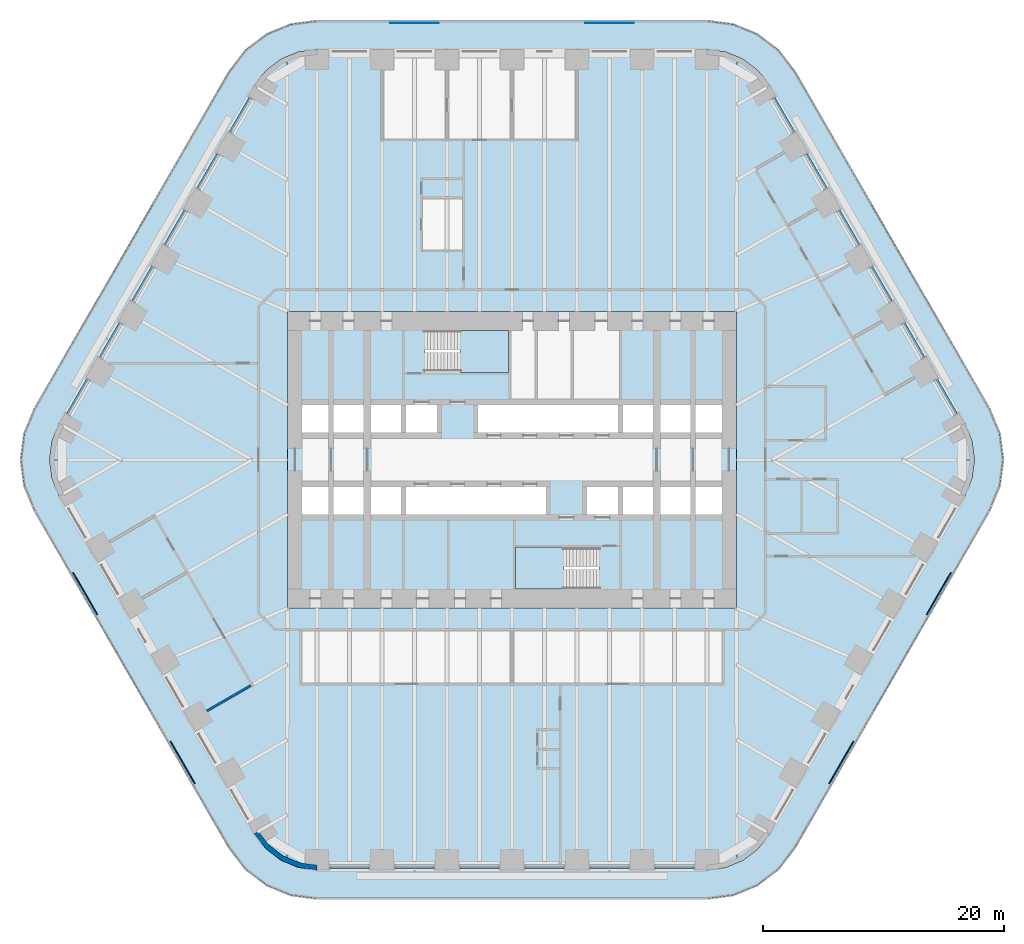
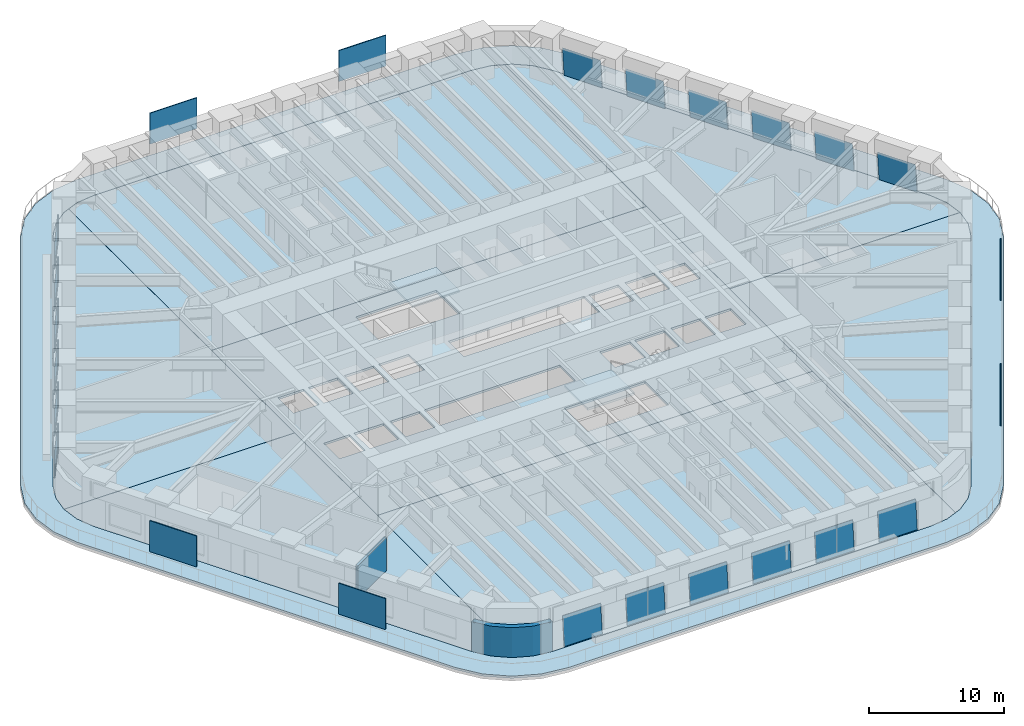
# One storey, part 15 of 24: 24 plates, 10 slabs, 2 walls, 20 elements without a shape of their own.
"""IFC4 building model written with IfcOpenShell, lengths in metres."""

from ifc_helpers import new_model, si_unit, direction, frame, frame_2d, origin, origin_2d, place, context, subcontext, project, spatial, polyline, rectangle, outline, extrude, material, layer, layer_set, type_object, element, aggregate, save


model = new_model("IFC4")

# Units and contexts
model_context = context("Model", 3, precision=1e-05, world=origin(), true_north=direction((0.0, 1.0)))
body_context = subcontext(model_context, "Body", "Model", "MODEL_VIEW")
ifc_project = project(units=[si_unit("LENGTHUNIT", "METRE"), si_unit("AREAUNIT", "SQUARE_METRE"), si_unit("VOLUMEUNIT", "CUBIC_METRE"), si_unit("PLANEANGLEUNIT", "RADIAN"), si_unit("MASSUNIT", "GRAM", prefix="KILO")], contexts=[model_context])

# Site, building, storey
site_placement = place(None, origin())
site = spatial("IfcSite", under=ifc_project, at=site_placement, CompositionType="ELEMENT")
building_placement = place(site_placement, origin())
building = spatial("IfcBuilding", under=site, at=building_placement, Name="Tarfa Lantern Tower", CompositionType="ELEMENT")
storey_placement = place(building_placement, frame((0.0, 0.0, 73.89990234375)))
storey = spatial("IfcBuildingStorey", under=building, at=storey_placement, Name="L16", CompositionType="ELEMENT", Elevation=73.89990234375)

# Slab
ifc_material_1 = material(Name="Concrete C40/50", Category="concrete")
ifc_layer_1 = layer(ifc_material_1, 0.199951171875)
ifc_layer_set_1 = layer_set([ifc_layer_1], Name="BS2 BALCONY SLAB 200")
slab_type_1 = type_object("IfcSlabType", Name="BS2 BALCONY SLAB 200", PredefinedType="FLOOR", material=ifc_layer_set_1)
slab_1_placement = place(storey_placement, frame((0.0, 0.0, -0.199951171875)))
element("IfcSlab", 1, at=slab_1_placement, inside=storey, type_object=slab_type_1, Name="Balcony L16", PredefinedType="FLOOR", context=body_context, shape_type="SweptSolid", body=[
    extrude(outline(polyline([(39.606201171875, 4.199951171875), (23.4404296875, 32.199951171875), (22.10546875, 33.939697265625), (20.36572265625, 35.274658203125), (18.33984375, 36.11376953125), (16.165771484375, 36.39990234375), (-16.165771484375, 36.39990234375), (-18.33984375, 36.11376953125), (-20.36572265625, 35.274658203125), (-22.10546875, 33.939697265625), (-23.4404296875, 32.199951171875), (-39.606201171875, 4.199951171875), (-40.4453125, 2.174072265625), (-40.731689453125, 0.0), (-40.4453125, -2.174072265625), (-39.606201171875, -4.199951171875), (-23.4404296875, -32.199951171875), (-22.10546875, -33.939697265625), (-20.36572265625, -35.274658203125), (-18.33984375, -36.11376953125), (-16.165771484375, -36.39990234375), (16.165771484375, -36.39990234375), (18.33984375, -36.11376953125), (20.36572265625, -35.274658203125), (22.10546875, -33.939697265625), (23.4404296875, -32.199951171875), (39.606201171875, -4.199951171875), (40.4453125, -2.174072265625), (40.731689453125, 0.0), (40.4453125, 2.174072265625), (39.606201171875, 4.199951171875)]), holes=[polyline([(37.52783203125, 3.0), (21.362060546875, 31.0), (20.408447265625, 32.24267578125), (19.165771484375, 33.196044921875), (17.71875, 33.795654296875), (16.165771484375, 34.0), (-16.165771484375, 34.0), (-17.71875, 33.795654296875), (-19.165771484375, 33.196044921875), (-20.408447265625, 32.24267578125), (-21.362060546875, 31.0), (-37.52783203125, 3.0), (-38.127197265625, 1.552978515625), (-38.33154296875, 0.0), (-38.127197265625, -1.552978515625), (-37.52783203125, -3.0), (-21.362060546875, -31.0), (-20.408447265625, -32.24267578125), (-19.165771484375, -33.196044921875), (-17.71875, -33.795654296875), (-16.165771484375, -34.0), (16.165771484375, -34.0), (17.71875, -33.795654296875), (19.165771484375, -33.196044921875), (20.408447265625, -32.24267578125), (21.362060546875, -31.0), (37.52783203125, -3.0), (38.127197265625, -1.552978515625), (38.33154296875, 0.0), (38.127197265625, 1.552978515625), (37.52783203125, 3.0)])]), origin(), (0.0, 0.0, 1.0), 0.199951171875),
])

# Curtain wall, plate
ifc_material_2 = material(Name="Aluminium framed curtain wall", Category="aluminium")
curtain_wall_type = type_object("IfcCurtainWallType", Name="CW1 CANTED GLAZING LOW ZONE 2700", PredefinedType="USERDEFINED", material=ifc_material_2)
curtain_wall_1_placement = place(storey_placement, origin())
curtain_wall_1 = element("IfcCurtainWall", 2, at=curtain_wall_1_placement, inside=storey, type_object=curtain_wall_type, Name="CW1 NE L16", ObjectType="CURTAIN WALL", PredefinedType="USERDEFINED")
ifc_material_3 = material(Name="Laminated double glazing", Category="glass")
ifc_layer_2 = layer(ifc_material_3, 0.028076171875)
ifc_layer_set_2 = layer_set([ifc_layer_2], Name="CWP1 DOUBLE GLAZED PANEL")
plate_type_1 = type_object("IfcPlateType", Name="CWP1 DOUBLE GLAZED PANEL", PredefinedType="CURTAIN_PANEL", material=ifc_layer_set_2)
plate_1_placement = place(storey_placement, frame((36.90869140625, 3.872314453125, 0.0), z_axis=(0.862338266797, 0.497864384763, 0.09221587717), x_axis=(-0.499995082658, 0.86602824279, 2.978908e-06)))
plate_1 = element("IfcPlate", 3, at=plate_1_placement, type_object=plate_type_1, Name="CW1 panel 1.1", PredefinedType="CURTAIN_PANEL", context=body_context, shape_type="SweptSolid", body=[
    extrude(outline(polyline([(0.0, 0.0), (3.258639560562134, 0.0), (3.2585208536427297, 2.646275738901332), (3.3621925729925773e-06, 2.646295235988971), (0.0, 0.0)])), origin(), (0.0, 0.0, -1.0), 0.028076171875),
])
aggregate(curtain_wall_1, [plate_1])

curtain_wall_2_placement = place(storey_placement, origin())
curtain_wall_2 = element("IfcCurtainWall", 4, at=curtain_wall_2_placement, inside=storey, type_object=curtain_wall_type, Name="CW1 NE L16", ObjectType="CURTAIN WALL", PredefinedType="USERDEFINED")
plate_2_placement = place(storey_placement, frame((34.21435546875, 8.5390625, 0.0), z_axis=(0.862325290636, 0.497894194109, 0.092176269198), x_axis=(-0.500022939057, 0.866012159509, 0.0)))
plate_2 = element("IfcPlate", 5, at=plate_2_placement, type_object=plate_type_1, Name="CW1 panel 1.1", PredefinedType="CURTAIN_PANEL", context=body_context, shape_type="SweptSolid", body=[
    extrude(outline(polyline([(0.0, 0.0), (3.2586395622623687, 0.0), (3.2585208519425555, 2.6462757409948594), (-0.0001187103198132533, 2.6462757409948594), (0.0, 0.0)])), origin(), (0.0, 0.0, -1.0), 0.028076171875),
])
aggregate(curtain_wall_2, [plate_2])

curtain_wall_3_placement = place(storey_placement, origin())
curtain_wall_3 = element("IfcCurtainWall", 6, at=curtain_wall_3_placement, inside=storey, type_object=curtain_wall_type, Name="CW1 NE L16", ObjectType="CURTAIN WALL", PredefinedType="USERDEFINED")
plate_3_placement = place(storey_placement, frame((31.52001953125, 13.20556640625, 0.0), z_axis=(0.862341934097, 0.49786650205, 0.092170140692), x_axis=(-0.499994605049, 0.866028518533, -2.977555e-06)))
plate_3 = element("IfcPlate", 7, at=plate_3_placement, type_object=plate_type_1, Name="CW1 panel 1.1", PredefinedType="CURTAIN_PANEL", context=body_context, shape_type="SweptSolid", body=[
    extrude(outline(polyline([(0.0, 0.0), (3.258517491508472, 2.7755575615628914e-17), (3.2587164564684317, 2.646283977845527), (7.689596458644864e-05, 2.6462644896978658), (0.0, 0.0)])), origin(), (0.0, 0.0, -1.0), 0.028076171875),
])
aggregate(curtain_wall_3, [plate_3])

curtain_wall_4_placement = place(storey_placement, origin())
curtain_wall_4 = element("IfcCurtainWall", 8, at=curtain_wall_4_placement, inside=storey, type_object=curtain_wall_type, Name="CW1 NE L16", ObjectType="CURTAIN WALL", PredefinedType="USERDEFINED")
plate_4_placement = place(storey_placement, frame((28.82568359375, 17.872314453125, 0.0), z_axis=(0.862338266797, 0.497864384763, 0.09221587717), x_axis=(-0.499994604812, 0.86602851867, -2.97902e-06)))
plate_4 = element("IfcPlate", 9, at=plate_4_placement, type_object=plate_type_1, Name="CW1 panel 1.1", PredefinedType="CURTAIN_PANEL", context=body_context, shape_type="SweptSolid", body=[
    extrude(outline(polyline([(0.0, 0.0), (3.2585174915084862, -2.7755575615628914e-17), (3.2585050197979823, 2.646295235961718), (-0.000134540705819584, 2.646275738143688), (0.0, 0.0)])), origin(), (0.0, 0.0, -1.0), 0.028076171875),
])
aggregate(curtain_wall_4, [plate_4])

curtain_wall_5_placement = place(storey_placement, origin())
curtain_wall_5 = element("IfcCurtainWall", 10, at=curtain_wall_5_placement, inside=storey, type_object=curtain_wall_type, Name="CW1 NE L16", ObjectType="CURTAIN WALL", PredefinedType="USERDEFINED")
plate_5_placement = place(storey_placement, frame((26.13134765625, 22.5390625, 0.0), z_axis=(0.862338266797, 0.497864384763, 0.09221587717), x_axis=(-0.499994604812, 0.86602851867, -2.97902e-06)))
plate_5 = element("IfcPlate", 11, at=plate_5_placement, type_object=plate_type_1, Name="CW1 panel 1.1", PredefinedType="CURTAIN_PANEL", context=body_context, shape_type="SweptSolid", body=[
    extrude(outline(polyline([(0.0, 0.0), (3.2585174915084862, -2.7755575615628914e-17), (3.2585050197979823, 2.646295235961718), (-0.000134540705819584, 2.646275738143688), (0.0, 0.0)])), origin(), (0.0, 0.0, -1.0), 0.028076171875),
])
aggregate(curtain_wall_5, [plate_5])

curtain_wall_6_placement = place(storey_placement, origin())
curtain_wall_6 = element("IfcCurtainWall", 12, at=curtain_wall_6_placement, inside=storey, type_object=curtain_wall_type, Name="CW1 NE L16", ObjectType="CURTAIN WALL", PredefinedType="USERDEFINED")
plate_6_placement = place(storey_placement, frame((23.437255859375, 27.20556640625, 0.0), z_axis=(0.862341934097, 0.49786650205, 0.092170140692), x_axis=(-0.499995082421, 0.866028242926, 2.977443e-06)))
plate_6 = element("IfcPlate", 13, at=plate_6_placement, type_object=plate_type_1, Name="CW1 panel 1.1", PredefinedType="CURTAIN_PANEL", context=body_context, shape_type="SweptSolid", body=[
    extrude(outline(polyline([(0.0, 0.0), (3.2586395605621195, -2.7755575615628914e-17), (3.2587322823927347, 2.64626448919067), (0.0002147909425344405, 2.6462839766083026), (0.0, 0.0)])), origin(), (0.0, 0.0, -1.0), 0.028076171875),
])
aggregate(curtain_wall_6, [plate_6])

curtain_wall_7_placement = place(storey_placement, origin())
curtain_wall_7 = element("IfcCurtainWall", 14, at=curtain_wall_7_placement, inside=storey, type_object=curtain_wall_type, Name="CW1 NW L16", ObjectType="CURTAIN WALL", PredefinedType="USERDEFINED")
plate_7_placement = place(storey_placement, frame((-21.807861328125, 30.027587890625, 0.0), z_axis=(-0.862341934097, 0.49786650205, 0.092170140692), x_axis=(-0.499995082421, -0.866028242926, -2.977443e-06)))
plate_7 = element("IfcPlate", 15, at=plate_7_placement, type_object=plate_type_1, Name="CW1 panel 1.1", PredefinedType="CURTAIN_PANEL", context=body_context, shape_type="SweptSolid", body=[
    extrude(outline(polyline([(0.0, 0.0), (3.2586395605621195, 2.7755575615628914e-17), (3.2584247696195847, 2.6462839766083026), (-9.272183061532521e-05, 2.64626448919067), (0.0, 0.0)])), origin(), (0.0, 0.0, -1.0), 0.028076171875),
])
aggregate(curtain_wall_7, [plate_7])

curtain_wall_8_placement = place(storey_placement, origin())
curtain_wall_8 = element("IfcCurtainWall", 16, at=curtain_wall_8_placement, inside=storey, type_object=curtain_wall_type, Name="CW1 NW L16", ObjectType="CURTAIN WALL", PredefinedType="USERDEFINED")
plate_8_placement = place(storey_placement, frame((-24.502197265625, 25.361083984375, 0.0), z_axis=(-0.862338266797, 0.497864384763, 0.09221587717), x_axis=(-0.499994604812, -0.86602851867, 2.97902e-06)))
plate_8 = element("IfcPlate", 17, at=plate_8_placement, type_object=plate_type_1, Name="CW1 panel 1.1", PredefinedType="CURTAIN_PANEL", context=body_context, shape_type="SweptSolid", body=[
    extrude(outline(polyline([(0.0, 0.0), (3.2585174915084862, 2.7755575615628914e-17), (3.2586520322143055, 2.646275738143688), (1.2471710504126e-05, 2.646295235961718), (0.0, 0.0)])), origin(), (0.0, 0.0, -1.0), 0.028076171875),
])
aggregate(curtain_wall_8, [plate_8])

curtain_wall_9_placement = place(storey_placement, origin())
curtain_wall_9 = element("IfcCurtainWall", 18, at=curtain_wall_9_placement, inside=storey, type_object=curtain_wall_type, Name="CW1 NW L16", ObjectType="CURTAIN WALL", PredefinedType="USERDEFINED")
plate_9_placement = place(storey_placement, frame((-27.196533203125, 20.6943359375, 0.0), z_axis=(-0.862338266797, 0.497864384763, 0.09221587717), x_axis=(-0.499994604812, -0.86602851867, 2.97902e-06)))
plate_9 = element("IfcPlate", 19, at=plate_9_placement, type_object=plate_type_1, Name="CW1 panel 1.1", PredefinedType="CURTAIN_PANEL", context=body_context, shape_type="SweptSolid", body=[
    extrude(outline(polyline([(0.0, 0.0), (3.2585174915084862, 2.7755575615628914e-17), (3.2586520322143055, 2.646275738143688), (1.2471710504126e-05, 2.646295235961718), (0.0, 0.0)])), origin(), (0.0, 0.0, -1.0), 0.028076171875),
])
aggregate(curtain_wall_9, [plate_9])

curtain_wall_10_placement = place(storey_placement, origin())
curtain_wall_10 = element("IfcCurtainWall", 20, at=curtain_wall_10_placement, inside=storey, type_object=curtain_wall_type, Name="CW1 NW L16", ObjectType="CURTAIN WALL", PredefinedType="USERDEFINED")
plate_10_placement = place(storey_placement, frame((-29.890869140625, 16.027587890625, 0.0), z_axis=(-0.862341934097, 0.49786650205, 0.092170140692), x_axis=(-0.499994605049, -0.866028518533, 2.977555e-06)))
plate_10 = element("IfcPlate", 21, at=plate_10_placement, type_object=plate_type_1, Name="CW1 panel 1.1", PredefinedType="CURTAIN_PANEL", context=body_context, shape_type="SweptSolid", body=[
    extrude(outline(polyline([(0.0, 0.0), (3.258517491508472, -2.7755575615628914e-17), (3.258440595543886, 2.6462644896978658), (-0.00019896495995976314, 2.646283977845527), (0.0, 0.0)])), origin(), (0.0, 0.0, -1.0), 0.028076171875),
])
aggregate(curtain_wall_10, [plate_10])

curtain_wall_11_placement = place(storey_placement, origin())
curtain_wall_11 = element("IfcCurtainWall", 22, at=curtain_wall_11_placement, inside=storey, type_object=curtain_wall_type, Name="CW1 NW L16", ObjectType="CURTAIN WALL", PredefinedType="USERDEFINED")
plate_11_placement = place(storey_placement, frame((-32.5849609375, 11.361083984375, 0.0), z_axis=(-0.862325290636, 0.497894194109, 0.092176269198), x_axis=(-0.500022939057, -0.866012159509, 0.0)))
plate_11 = element("IfcPlate", 23, at=plate_11_placement, type_object=plate_type_1, Name="CW1 panel 1.1", PredefinedType="CURTAIN_PANEL", context=body_context, shape_type="SweptSolid", body=[
    extrude(outline(polyline([(0.0, 0.0), (3.2586395622623687, 0.0), (3.258758272582182, 2.6462757409948594), (0.0001187103198132533, 2.6462757409948594), (0.0, 0.0)])), origin(), (0.0, 0.0, -1.0), 0.028076171875),
])
aggregate(curtain_wall_11, [plate_11])

curtain_wall_12_placement = place(storey_placement, origin())
curtain_wall_12 = element("IfcCurtainWall", 24, at=curtain_wall_12_placement, inside=storey, type_object=curtain_wall_type, Name="CW1 NW L16", ObjectType="CURTAIN WALL", PredefinedType="USERDEFINED")
plate_12_placement = place(storey_placement, frame((-35.279296875, 6.6943359375, 0.0), z_axis=(-0.862338266797, 0.497864384763, 0.09221587717), x_axis=(-0.499995082658, -0.86602824279, -2.978908e-06)))
plate_12 = element("IfcPlate", 25, at=plate_12_placement, type_object=plate_type_1, Name="CW1 panel 1.1", PredefinedType="CURTAIN_PANEL", context=body_context, shape_type="SweptSolid", body=[
    extrude(outline(polyline([(0.0, 0.0), (3.258639560562134, 0.0), (3.258636198369561, 2.646295235988971), (0.00011870691940396534, 2.646275738901332), (0.0, 0.0)])), origin(), (0.0, 0.0, -1.0), 0.028076171875),
])
aggregate(curtain_wall_12, [plate_12])

curtain_wall_13_placement = place(storey_placement, origin())
curtain_wall_13 = element("IfcCurtainWall", 26, at=curtain_wall_13_placement, inside=storey, type_object=curtain_wall_type, Name="CW1 S L16", ObjectType="CURTAIN WALL", PredefinedType="USERDEFINED")
plate_13_placement = place(storey_placement, frame((-15.100830078125, -33.89990234375, 0.0), z_axis=(0.0, -0.995743653657, 0.092166025202), x_axis=(1.0, 0.0, 0.0)))
plate_13 = element("IfcPlate", 27, at=plate_13_placement, type_object=plate_type_1, Name="CW1 panel 1.1", PredefinedType="CURTAIN_PANEL", context=body_context, shape_type="SweptSolid", body=[
    extrude(outline(polyline([(0.0, 0.0), (3.258544921875, 0.0), (3.258544921875, 2.6462732209712594), (0.0, 2.6462732209712594), (0.0, 0.0)])), origin(), (0.0, 0.0, -1.0), 0.028076171875),
])
aggregate(curtain_wall_13, [plate_13])

curtain_wall_14_placement = place(storey_placement, origin())
curtain_wall_14 = element("IfcCurtainWall", 28, at=curtain_wall_14_placement, inside=storey, type_object=curtain_wall_type, Name="CW1 S L16", ObjectType="CURTAIN WALL", PredefinedType="USERDEFINED")
plate_14_placement = place(storey_placement, frame((-9.712158203125, -33.89990234375, 0.0), z_axis=(0.0, -0.995743653657, 0.092166025202), x_axis=(1.0, 0.0, 0.0)))
plate_14 = element("IfcPlate", 29, at=plate_14_placement, type_object=plate_type_1, Name="CW1 panel 1.1", PredefinedType="CURTAIN_PANEL", context=body_context, shape_type="SweptSolid", body=[
    extrude(outline(polyline([(0.0, 0.0), (3.258544921875, 0.0), (3.258544921875, 2.6462732209712594), (0.0, 2.6462732209712594), (0.0, 0.0)])), origin(), (0.0, 0.0, -1.0), 0.028076171875),
])
aggregate(curtain_wall_14, [plate_14])

curtain_wall_15_placement = place(storey_placement, origin())
curtain_wall_15 = element("IfcCurtainWall", 30, at=curtain_wall_15_placement, inside=storey, type_object=curtain_wall_type, Name="CW1 S L16", ObjectType="CURTAIN WALL", PredefinedType="USERDEFINED")
plate_15_placement = place(storey_placement, frame((-4.323486328125, -33.89990234375, 0.0), z_axis=(0.0, -0.995743653657, 0.092166025202), x_axis=(1.0, 0.0, 0.0)))
plate_15 = element("IfcPlate", 31, at=plate_15_placement, type_object=plate_type_1, Name="CW1 panel 1.1", PredefinedType="CURTAIN_PANEL", context=body_context, shape_type="SweptSolid", body=[
    extrude(outline(polyline([(0.0, 0.0), (3.258544921875, 0.0), (3.258544921875, 2.6462732209712594), (0.0, 2.6462732209712594), (0.0, 0.0)])), origin(), (0.0, 0.0, -1.0), 0.028076171875),
])
aggregate(curtain_wall_15, [plate_15])

curtain_wall_16_placement = place(storey_placement, origin())
curtain_wall_16 = element("IfcCurtainWall", 32, at=curtain_wall_16_placement, inside=storey, type_object=curtain_wall_type, Name="CW1 S L16", ObjectType="CURTAIN WALL", PredefinedType="USERDEFINED")
plate_16_placement = place(storey_placement, frame((1.06494140625, -33.89990234375, 0.0), z_axis=(0.0, -0.995743653657, 0.092166025202), x_axis=(1.0, 0.0, 0.0)))
plate_16 = element("IfcPlate", 33, at=plate_16_placement, type_object=plate_type_1, Name="CW1 panel 1.1", PredefinedType="CURTAIN_PANEL", context=body_context, shape_type="SweptSolid", body=[
    extrude(outline(polyline([(0.0, 0.0), (3.258544921875, 0.0), (3.258544921875, 2.6462732209712594), (0.0, 2.6462732209712594), (0.0, 0.0)])), origin(), (0.0, 0.0, -1.0), 0.028076171875),
])
aggregate(curtain_wall_16, [plate_16])

curtain_wall_17_placement = place(storey_placement, origin())
curtain_wall_17 = element("IfcCurtainWall", 34, at=curtain_wall_17_placement, inside=storey, type_object=curtain_wall_type, Name="CW1 S L16", ObjectType="CURTAIN WALL", PredefinedType="USERDEFINED")
plate_17_placement = place(storey_placement, frame((6.45361328125, -33.89990234375, 0.0), z_axis=(0.0, -0.995743653657, 0.092166025202), x_axis=(1.0, 0.0, 0.0)))
plate_17 = element("IfcPlate", 35, at=plate_17_placement, type_object=plate_type_1, Name="CW1 panel 1.1", PredefinedType="CURTAIN_PANEL", context=body_context, shape_type="SweptSolid", body=[
    extrude(outline(polyline([(0.0, 0.0), (3.258544921875, 0.0), (3.258544921875, 2.6462732209712594), (0.0, 2.6462732209712594), (0.0, 0.0)])), origin(), (0.0, 0.0, -1.0), 0.028076171875),
])
aggregate(curtain_wall_17, [plate_17])

curtain_wall_18_placement = place(storey_placement, origin())
curtain_wall_18 = element("IfcCurtainWall", 36, at=curtain_wall_18_placement, inside=storey, type_object=curtain_wall_type, Name="CW1 S L16", ObjectType="CURTAIN WALL", PredefinedType="USERDEFINED")
plate_18_placement = place(storey_placement, frame((11.84228515625, -33.89990234375, 0.0), z_axis=(0.0, -0.995743653657, 0.092166025202), x_axis=(1.0, 0.0, 0.0)))
plate_18 = element("IfcPlate", 37, at=plate_18_placement, type_object=plate_type_1, Name="CW1 panel 1.1", PredefinedType="CURTAIN_PANEL", context=body_context, shape_type="SweptSolid", body=[
    extrude(outline(polyline([(0.0, 0.0), (3.258544921875, 0.0), (3.258544921875, 2.6462732209712594), (0.0, 2.6462732209712594), (0.0, 0.0)])), origin(), (0.0, 0.0, -1.0), 0.028076171875),
])
aggregate(curtain_wall_18, [plate_18])

# Slabs
ifc_layer_3 = layer(ifc_material_1, 0.199951171875)
ifc_layer_set_3 = layer_set([ifc_layer_3], Name="FS1 FLOOR SLAB 200")
slab_type_2 = type_object("IfcSlabType", Name="FS1 FLOOR SLAB 200", PredefinedType="FLOOR", material=ifc_layer_set_3)
slab_2_placement = place(storey_placement, frame((0.0, 0.0, -0.199951171875)))
element("IfcSlab", 38, at=slab_2_placement, inside=storey, type_object=slab_type_2, Name="Floor slab L16", PredefinedType="FLOOR", context=body_context, shape_type="SweptSolid", body=[
    extrude(outline(polyline([(-18.60009765625, -12.300048828125), (18.60009765625, -12.300048828125), (18.60009765625, 12.300048828125), (-18.60009765625, 12.300048828125), (-18.60009765625, -12.300048828125)]), holes=[polyline([(-17.39990234375, 2.25), (-15.199951171875, 2.25), (-15.199951171875, 4.550048828125), (-17.39990234375, 4.550048828125), (-17.39990234375, 2.25)]), polyline([(-14.800048828125, 2.25), (-12.300048828125, 2.25), (-12.300048828125, 4.550048828125), (-14.800048828125, 4.550048828125), (-14.800048828125, 2.25)]), polyline([(-11.699951171875, 2.25), (-9.199951171875, 2.25), (-9.199951171875, 4.550048828125), (-11.699951171875, 4.550048828125), (-11.699951171875, 2.25)]), polyline([(-8.800048828125, 2.25), (-6.199951171875, 2.25), (-6.199951171875, 4.550048828125), (-8.800048828125, 4.550048828125), (-8.800048828125, 2.25)]), polyline([(-2.800048828125, 2.25), (8.800048828125, 2.25), (8.800048828125, 4.550048828125), (-2.800048828125, 4.550048828125), (-2.800048828125, 2.25)]), polyline([(9.199951171875, 2.25), (11.699951171875, 2.25), (11.699951171875, 4.550048828125), (9.199951171875, 4.550048828125), (9.199951171875, 2.25)]), polyline([(12.300048828125, 2.25), (14.800048828125, 2.25), (14.800048828125, 4.550048828125), (12.300048828125, 4.550048828125), (12.300048828125, 2.25)]), polyline([(15.199951171875, 2.25), (17.39990234375, 2.25), (17.39990234375, 4.550048828125), (15.199951171875, 4.550048828125), (15.199951171875, 2.25)]), polyline([(17.39990234375, -2.25), (15.199951171875, -2.25), (15.199951171875, -4.550048828125), (17.39990234375, -4.550048828125), (17.39990234375, -2.25)]), polyline([(14.800048828125, -2.25), (12.300048828125, -2.25), (12.300048828125, -4.550048828125), (14.800048828125, -4.550048828125), (14.800048828125, -2.25)]), polyline([(11.699951171875, -2.25), (9.199951171875, -2.25), (9.199951171875, -4.550048828125), (11.699951171875, -4.550048828125), (11.699951171875, -2.25)]), polyline([(8.800048828125, -2.25), (6.199951171875, -2.25), (6.199951171875, -4.550048828125), (8.800048828125, -4.550048828125), (8.800048828125, -2.25)]), polyline([(2.800048828125, -2.25), (-8.800048828125, -2.25), (-8.800048828125, -4.550048828125), (2.800048828125, -4.550048828125), (2.800048828125, -2.25)]), polyline([(-9.199951171875, -2.25), (-11.699951171875, -2.25), (-11.699951171875, -4.550048828125), (-9.199951171875, -4.550048828125), (-9.199951171875, -2.25)]), polyline([(-12.300048828125, -2.25), (-14.800048828125, -2.25), (-14.800048828125, -4.550048828125), (-12.300048828125, -4.550048828125), (-12.300048828125, -2.25)]), polyline([(-15.199951171875, -2.25), (-17.39990234375, -2.25), (-17.39990234375, -4.550048828125), (-15.199951171875, -4.550048828125), (-15.199951171875, -2.25)]), polyline([(-7.199951171875, 7.25), (-0.300048828125, 7.25), (-0.300048828125, 10.699951171875), (-7.199951171875, 10.699951171875), (-7.199951171875, 7.25)]), polyline([(7.199951171875, -7.25), (0.300048828125, -7.25), (0.300048828125, -10.699951171875), (7.199951171875, -10.699951171875), (7.199951171875, -7.25)])]), origin(), (0.0, 0.0, 1.0), 0.199951171875),
])
slab_3_placement = place(storey_placement, frame((0.0, 0.0, -0.199951171875)))
element("IfcSlab", 39, at=slab_3_placement, inside=storey, type_object=slab_type_2, Name="Floor slab L16 NE bay", PredefinedType="FLOOR", context=body_context, shape_type="SweptSolid", body=[
    extrude(outline(polyline([(37.52587890625, 2.9990234375), (21.3603515625, 30.998779296875), (20.406982421875, 32.2412109375), (19.164794921875, 33.1943359375), (18.64697265625, 33.408935546875), (18.60205078125, 12.300048828125), (18.60205078125, 0.001953125), (38.329345703125, 0.001953125), (38.125244140625, 1.552490234375), (37.52587890625, 2.9990234375)])), origin(), (0.0, 0.0, 1.0), 0.199951171875),
])
slab_4_placement = place(storey_placement, frame((0.0, 0.0, -0.199951171875)))
element("IfcSlab", 40, at=slab_4_placement, inside=storey, type_object=slab_type_2, Name="Floor slab L16 N bay", PredefinedType="FLOOR", context=body_context, shape_type="SweptSolid", body=[
    extrude(outline(polyline([(-18.597900390625, 12.302001953125), (18.597900390625, 12.302001953125), (18.64306640625, 33.41064453125), (17.71826171875, 33.793701171875), (16.165771484375, 33.998046875), (-16.165771484375, 33.998046875), (-17.71826171875, 33.793701171875), (-18.64306640625, 33.41064453125), (-18.597900390625, 12.302001953125)])), origin(), (0.0, 0.0, 1.0), 0.199951171875),
])
slab_5_placement = place(storey_placement, frame((0.0, 0.0, -0.199951171875)))
element("IfcSlab", 41, at=slab_5_placement, inside=storey, type_object=slab_type_2, Name="Floor slab L16 NW bay", PredefinedType="FLOOR", context=body_context, shape_type="SweptSolid", body=[
    extrude(outline(polyline([(-18.60205078125, 0.001953125), (-18.60205078125, 12.300048828125), (-18.64697265625, 33.408935546875), (-19.164794921875, 33.1943359375), (-20.406982421875, 32.2412109375), (-21.3603515625, 30.998779296875), (-37.52587890625, 2.9990234375), (-38.125244140625, 1.552490234375), (-38.329345703125, 0.001953125), (-18.60205078125, 0.001953125)])), origin(), (0.0, 0.0, 1.0), 0.199951171875),
])
slab_6_placement = place(storey_placement, frame((0.0, 0.0, -0.199951171875)))
element("IfcSlab", 42, at=slab_6_placement, inside=storey, type_object=slab_type_2, Name="Floor slab L16 SW bay", PredefinedType="FLOOR", context=body_context, shape_type="SweptSolid", body=[
    extrude(outline(polyline([(-18.60205078125, -12.300048828125), (-18.60205078125, -0.001953125), (-38.329345703125, -0.001953125), (-38.125244140625, -1.552490234375), (-37.52587890625, -2.9990234375), (-21.3603515625, -30.998779296875), (-20.406982421875, -32.2412109375), (-19.164794921875, -33.1943359375), (-18.64697265625, -33.408935546875), (-18.60205078125, -12.300048828125)])), origin(), (0.0, 0.0, 1.0), 0.199951171875),
])
slab_7_placement = place(storey_placement, frame((0.0, 0.0, -0.199951171875)))
element("IfcSlab", 43, at=slab_7_placement, inside=storey, type_object=slab_type_2, Name="Floor slab L16 S bay", PredefinedType="FLOOR", context=body_context, shape_type="SweptSolid", body=[
    extrude(outline(polyline([(18.597900390625, -12.302001953125), (-18.597900390625, -12.302001953125), (-18.64306640625, -33.41064453125), (-17.71826171875, -33.793701171875), (-16.165771484375, -33.998046875), (16.165771484375, -33.998046875), (17.71826171875, -33.793701171875), (18.64306640625, -33.41064453125), (18.597900390625, -12.302001953125)])), origin(), (0.0, 0.0, 1.0), 0.199951171875),
])
slab_8_placement = place(storey_placement, frame((0.0, 0.0, -0.199951171875)))
element("IfcSlab", 44, at=slab_8_placement, inside=storey, type_object=slab_type_2, Name="Floor slab L16 SE bay", PredefinedType="FLOOR", context=body_context, shape_type="SweptSolid", body=[
    extrude(outline(polyline([(18.60205078125, -0.001953125), (18.60205078125, -12.300048828125), (18.64697265625, -33.408935546875), (19.164794921875, -33.1943359375), (20.406982421875, -32.2412109375), (21.3603515625, -30.998779296875), (37.52587890625, -2.9990234375), (38.125244140625, -1.552490234375), (38.329345703125, -0.001953125), (18.60205078125, -0.001953125)])), origin(), (0.0, 0.0, 1.0), 0.199951171875),
])

# Plates
ifc_material_4 = material(Name="Perforated limestone screen", Category="masonry")
ifc_layer_4 = layer(ifc_material_4, 0.080078125)
ifc_layer_set_4 = layer_set([ifc_layer_4], Name="SC1 STONE SCREEN 80")
plate_type_2 = type_object("IfcPlateType", Name="SC1 STONE SCREEN 80", PredefinedType="USERDEFINED", material=ifc_layer_set_4)
for number, where, z_axis, x_axis, name in (
    (45, (8.0830078125, 36.199951171875, 1.2001953125), (0.0, 0.0, 1.0), (-1.0, 0.0, 0.0), "Stone screen N 1"),
    (46, (-8.0830078125, 36.199951171875, 1.2001953125), (0.0, 0.0, 1.0), (-1.0, 0.0, 0.0), "Stone screen N 2"),
    (47, (-35.3916015625, -11.10009765625, 1.2001953125), (0.0, 0.0, 1.0), (0.5, -0.866025403784, 0.0), "Stone screen SW 1"),
    (48, (-27.30859375, -25.10009765625, 1.2001953125), (0.0, 0.0, 1.0), (0.5, -0.866025403784, 0.0), "Stone screen SW 2"),
    (49, (27.30859375, -25.10009765625, 1.2001953125), (0.0, 0.0, 1.0), (0.5, 0.866025403784, 0.0), "Stone screen SE 1"),
    (50, (35.3916015625, -11.10009765625, 1.2001953125), (0.0, 0.0, 1.0), (0.5, 0.866025403784, 0.0), "Stone screen SE 2"),
):
    element("IfcPlate", number, at=place(storey_placement, frame(where, z_axis=z_axis, x_axis=x_axis)), inside=storey, type_object=plate_type_2, Name=name, ObjectType="SCREEN", PredefinedType="USERDEFINED", context=body_context, shape_type="SweptSolid", body=[
        extrude(rectangle(XDim=4.0, YDim=0.080078125, at=origin_2d()), origin(), (0.0, 0.0, 1.0), 2.800048828125),
    ])

# Stair, slab
stair_type = type_object("IfcStairType", Name="ST-T10 HALF-TURN STAIR 4200 RISE", PredefinedType="HALF_TURN_STAIR", material=ifc_material_1)
stair_1_placement = place(storey_placement, origin())
stair_1 = element("IfcStair", 51, at=stair_1_placement, inside=storey, type_object=stair_type, Name="Stair ST1", PredefinedType="HALF_TURN_STAIR")
ifc_layer_5 = layer(ifc_material_1, 0.199951171875)
ifc_layer_set_5 = layer_set([ifc_layer_5], Name="SL1 STAIR LANDING 200")
slab_type_3 = type_object("IfcSlabType", Name="SL1 STAIR LANDING 200", PredefinedType="LANDING", material=ifc_layer_set_5)
slab_9_placement = place(storey_placement, frame((0.0, 0.0, 1.900146484375)))
slab_9 = element("IfcSlab", 52, at=slab_9_placement, type_object=slab_type_3, Name="ST1 landing 1", PredefinedType="LANDING", context=body_context, shape_type="SweptSolid", body=[
    extrude(outline(polyline([(-4.320068359375, 7.25), (-0.300048828125, 7.25), (-0.300048828125, 10.699951171875), (-4.320068359375, 10.699951171875), (-4.320068359375, 7.25)])), origin(), (0.0, 0.0, 1.0), 0.199951171875),
])
aggregate(stair_1, [slab_9])

stair_2_placement = place(storey_placement, origin())
stair_2 = element("IfcStair", 53, at=stair_2_placement, inside=storey, type_object=stair_type, Name="Stair ST2", PredefinedType="HALF_TURN_STAIR")
slab_10_placement = place(storey_placement, frame((0.0, 0.0, 1.900146484375)))
slab_10 = element("IfcSlab", 54, at=slab_10_placement, type_object=slab_type_3, Name="ST2 landing 1", PredefinedType="LANDING", context=body_context, shape_type="SweptSolid", body=[
    extrude(outline(polyline([(4.320068359375, -7.25), (0.300048828125, -7.25), (0.300048828125, -10.699951171875), (4.320068359375, -10.699951171875), (4.320068359375, -7.25)])), origin(), (0.0, 0.0, 1.0), 0.199951171875),
])
aggregate(stair_2, [slab_10])

# Walls
ifc_material_5 = material(Name="Limestone cladding on blockwork", Category="masonry")
ifc_layer_6 = layer(ifc_material_5, 0.39990234375)
ifc_layer_set_6 = layer_set([ifc_layer_6], Name="EW2 CURVED STONE CORNER 400")
wall_type_1 = type_object("IfcWallType", Name="EW2 CURVED STONE CORNER 400", PredefinedType="SOLIDWALL", material=ifc_layer_set_6)
wall_1_placement = place(storey_placement, origin())
element("IfcWall", 55, at=wall_1_placement, inside=storey, type_object=wall_type_1, Name="Stone corner SW-S", PredefinedType="SOLIDWALL", context=body_context, shape_type="SweptSolid", body=[
    extrude(outline(polyline([(-21.362060546875, -31.0), (-20.408447265625, -32.24267578125), (-19.165771484375, -33.196044921875), (-17.71875, -33.795654296875), (-16.165771484375, -34.0), (-16.165771484375, -33.60009765625), (-17.615234375, -33.4091796875), (-18.9658203125, -32.849853515625), (-20.12548828125, -31.959716796875), (-21.015625, -30.800048828125), (-21.362060546875, -31.0)])), origin(), (0.0, 0.0, 1.0), 2.7001953125),
])
ifc_material_6 = material(Name="Gypsum board on steel studs", Category="steel")
ifc_layer_7 = layer(ifc_material_6, 0.2099609375)
ifc_layer_set_7 = layer_set([ifc_layer_7], Name="IW2 ACOUSTIC PARTITION 200")
wall_type_2 = type_object("IfcWallType", Name="IW2 ACOUSTIC PARTITION 200", PredefinedType="PARTITIONING", material=ifc_layer_set_7)
wall_2_placement = place(storey_placement, frame((-21.64111328125, -18.716552734375, 0.0), z_axis=(0.0, 0.0, 1.0), x_axis=(-0.866009402589, -0.500027713859, 0.0)))
element("IfcWall", 56, at=wall_2_placement, inside=storey, type_object=wall_type_2, Name="Partition", PredefinedType="PARTITIONING", context=body_context, shape_type="SweptSolid", body=[
    extrude(rectangle(XDim=4.199951171875, YDim=0.199951171875, at=frame_2d((2.10009765625, 0.0))), origin(), (0.0, 0.0, 1.0), 2.991943359375),
])

save(model, "model.ifc")
